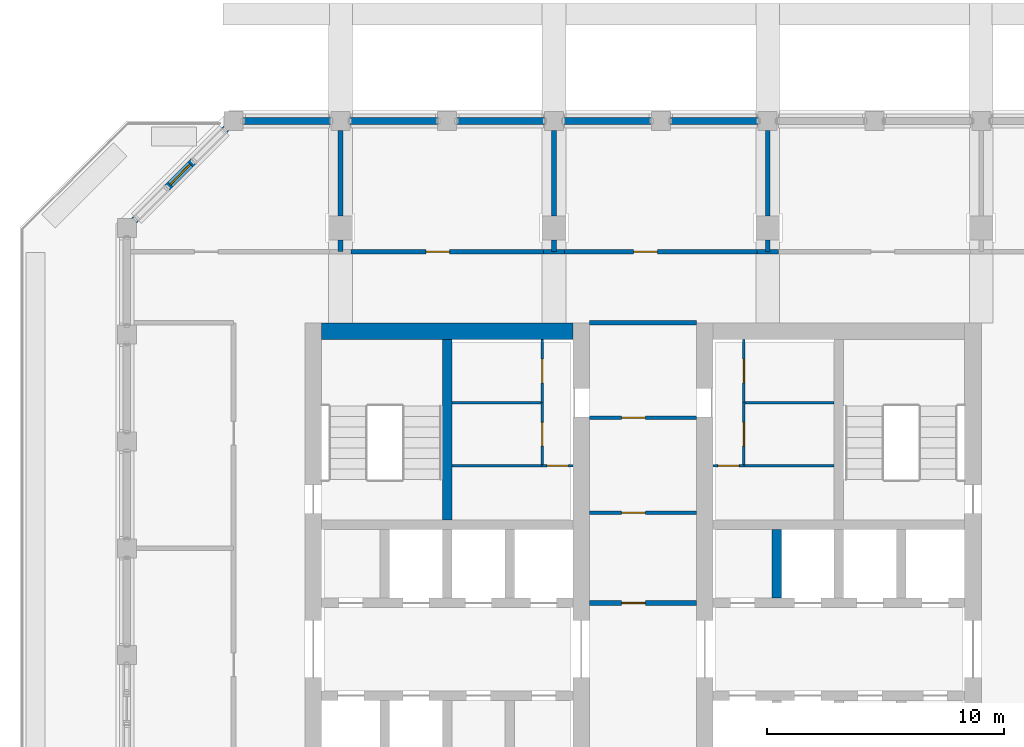
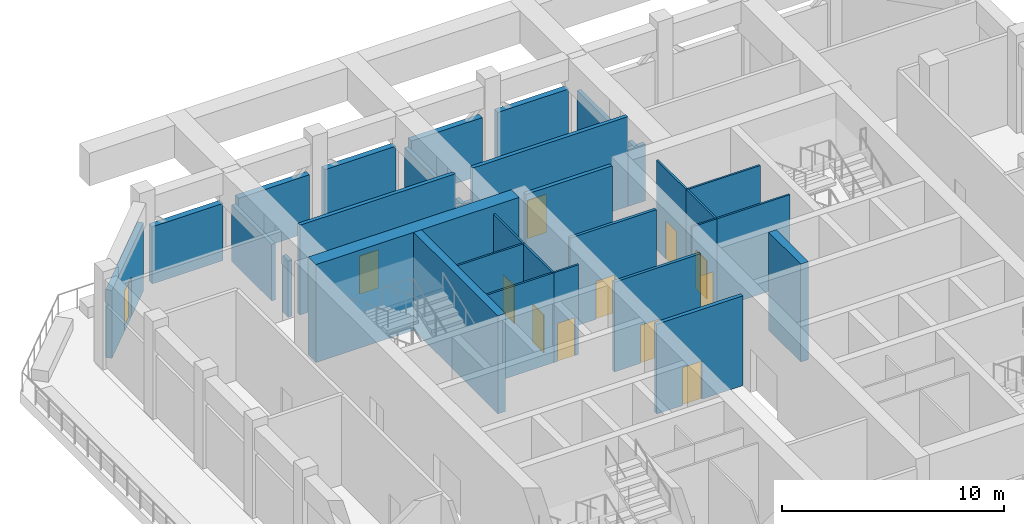
# One storey, part 6 of 19: 33 walls, 12 doors, 12 openings.
"""IFC4 building model written with IfcOpenShell, lengths in metres."""

from ifc_helpers import new_model, si_unit, direction, frame, frame_2d, origin, place, context, subcontext, project, spatial, rectangle, extrude, material, layer, layer_set, type_object, element, fill, save


model = new_model("IFC4")

# Units and contexts
model_context = context("Model", 3, precision=1e-05, world=origin(), true_north=direction((0.0, 1.0)))
body_context = subcontext(model_context, "Body", "Model", "MODEL_VIEW")
ifc_project = project(units=[si_unit("LENGTHUNIT", "METRE"), si_unit("AREAUNIT", "SQUARE_METRE"), si_unit("VOLUMEUNIT", "CUBIC_METRE"), si_unit("PLANEANGLEUNIT", "RADIAN"), si_unit("MASSUNIT", "GRAM", prefix="KILO")], contexts=[model_context])

# Site, building, storey
site_placement = place(None, origin())
site = spatial("IfcSite", under=ifc_project, at=site_placement, CompositionType="ELEMENT")
building_placement = place(site_placement, origin())
building = spatial("IfcBuilding", under=site, at=building_placement, Name="Corbel Stack Research Tower", CompositionType="ELEMENT")
storey_placement = place(building_placement, frame((0.0, 0.0, 226.199951171875)))
storey = spatial("IfcBuildingStorey", under=building, at=storey_placement, Name="L51", CompositionType="ELEMENT", Elevation=226.199951171875)

# Walls
ifc_material_1 = material(Name="Concrete C60/75", Category="concrete")
ifc_layer_1 = layer(ifc_material_1, 0.39990234375)
ifc_layer_set_1 = layer_set([ifc_layer_1], Name="Concrete C60/75")
wall_type_1 = type_object("IfcWallType", Name="CW-400-60", PredefinedType="SHEAR", material=ifc_layer_set_1)
wall_1_placement = place(storey_placement, frame((-4.5, 10.199951171875, 0.0), z_axis=(0.0, 0.0, 1.0), x_axis=(0.0, 1.0, 0.0)))
element("IfcWall", 1, at=wall_1_placement, inside=storey, type_object=wall_type_1, Name="West core wall, north stair and riser L51", PredefinedType="SHEAR", context=body_context, shape_type="SweptSolid", body=[
    extrude(rectangle(XDim=7.60009765625, YDim=0.39990234375, at=frame_2d((3.800048828125, 0.0))), origin(), (0.0, 0.0, 1.0), 5.400146484375),
])
wall_2_placement = place(storey_placement, frame((9.375, 6.89990234375, 0.0), z_axis=(0.0, 0.0, 1.0), x_axis=(0.0, 1.0, 0.0)))
element("IfcWall", 2, at=wall_2_placement, inside=storey, type_object=wall_type_1, Name="East core wall, north shaft 1 L51", PredefinedType="SHEAR", context=body_context, shape_type="SweptSolid", body=[
    extrude(rectangle(XDim=2.900146484375, YDim=0.39990234375, at=frame_2d((1.4501953125, 0.0))), origin(), (0.0, 0.0, 1.0), 5.400146484375),
])
ifc_material_2 = material(Name="Concrete C60/75", Category="concrete")
ifc_layer_2 = layer(ifc_material_2, 0.699951171875)
ifc_layer_set_2 = layer_set([ifc_layer_2], Name="Concrete C60/75")
wall_type_2 = type_object("IfcWallType", Name="CW-700-60", PredefinedType="SHEAR", material=ifc_layer_set_2)
wall_3_placement = place(storey_placement, frame((-9.800048828125, 18.14990234375, 0.0), z_axis=(0.0, 0.0, 1.0), x_axis=(1.0, 0.0, 0.0)))
element("IfcWall", 3, at=wall_3_placement, inside=storey, type_object=wall_type_2, Name="West core wall, north end L51", PredefinedType="SHEAR", context=body_context, shape_type="SweptSolid", body=[
    extrude(rectangle(XDim=10.60009765625, YDim=0.699951171875, at=frame_2d((5.300048828125, 0.0))), origin(), (0.0, 0.0, 1.0), 5.400146484375),
])

# Wall, opening, door
ifc_material_3 = material(Name="Gypsum board")
ifc_layer_3 = layer(ifc_material_3, 0.10009765625)
ifc_layer_set_3 = layer_set([ifc_layer_3], Name="Gypsum board")
wall_type_3 = type_object("IfcWallType", Name="Core partition 100", PredefinedType="PARTITIONING", material=ifc_layer_set_3)
wall_4_placement = place(storey_placement, frame((-0.5, 12.47998046875, 0.0), z_axis=(0.0, 0.0, 1.0), x_axis=(1.0, 0.0, 0.0)))
wall_4 = element("IfcWall", 4, at=wall_4_placement, inside=storey, type_object=wall_type_3, Name="Core partition W", PredefinedType="PARTITIONING", context=body_context, shape_type="SweptSolid", body=[
    extrude(rectangle(XDim=1.300048828125, YDim=0.10009765625, at=frame_2d((0.64990234375, 0.0))), origin(), (0.0, 0.0, 1.0), 4.949951171875),
])
opening_1_placement = place(wall_4_placement, frame((0.199951171875, 0.0, 0.0)))
opening_1 = element("IfcOpeningElement", 5, at=opening_1_placement, cuts=wall_4, Name="Opening CR-W54-R1-900", PredefinedType="OPENING", context=body_context, shape_type="SweptSolid", body=[
    extrude(rectangle(XDim=0.89990234375, YDim=2.10009765625, at=frame_2d((0.449951171875, 1.050048828125))), frame((0.0, 0.06005859375, 0.0), z_axis=(0.0, -1.0, 0.0), x_axis=(1.0, 0.0, 0.0)), (0.0, 0.0, 1.0), 0.1201171875),
])
ifc_material_4 = material(Name="Painted steel door", Category="steel")
door_type_1 = type_object("IfcDoorType", Name="Riser door 900 x 2100 FD60 left hand", OperationType="SINGLE_SWING_LEFT", PredefinedType="DOOR", material=ifc_material_4)
door_1_placement = place(opening_1_placement, origin())
door_1 = element("IfcDoor", 6, at=door_1_placement, inside=storey, type_object=door_type_1, Name="Electrical plant riser door W core", OperationType="SINGLE_SWING_LEFT", OverallHeight=2.10009765625, OverallWidth=0.89990234375, PredefinedType="DOOR", context=body_context, shape_type="SweptSolid", body=[
    extrude(rectangle(XDim=0.89990234375, YDim=2.10009765625, at=frame_2d((0.449951171875, 1.050048828125))), frame((0.0, 0.02490234375, 0.0), z_axis=(0.0, -1.0, 0.0), x_axis=(1.0, 0.0, 0.0)), (0.0, 0.0, 1.0), 0.050048828125),
])
fill(opening_1, door_1)

# Wall
wall_5_placement = place(storey_placement, frame((-4.300048828125, 12.47998046875, 0.0), z_axis=(0.0, 0.0, 1.0), x_axis=(1.0, 0.0, 0.0)))
element("IfcWall", 7, at=wall_5_placement, inside=storey, type_object=wall_type_3, Name="Core partition W", PredefinedType="PARTITIONING", context=body_context, shape_type="SweptSolid", body=[
    extrude(rectangle(XDim=3.800048828125, YDim=0.10009765625, at=frame_2d((1.89990234375, 0.0))), origin(), (0.0, 0.0, 1.0), 4.949951171875),
])

# Wall, opening, door
wall_6_placement = place(storey_placement, frame((-0.5, 12.47998046875, 0.0), z_axis=(0.0, 0.0, 1.0), x_axis=(0.0, 1.0, 0.0)))
wall_6 = element("IfcWall", 8, at=wall_6_placement, inside=storey, type_object=wall_type_3, Name="Core partition W", PredefinedType="PARTITIONING", context=body_context, shape_type="SweptSolid", body=[
    extrude(rectangle(XDim=2.659912109375, YDim=0.10009765625, at=frame_2d((1.330078125, 0.0))), origin(), (0.0, 0.0, 1.0), 4.949951171875),
])
opening_2_placement = place(wall_6_placement, frame((0.830078125, 0.0, 0.0)))
opening_2 = element("IfcOpeningElement", 9, at=opening_2_placement, cuts=wall_6, Name="Opening CR-W54-R3-1000", PredefinedType="OPENING", context=body_context, shape_type="SweptSolid", body=[
    extrude(rectangle(XDim=1.0, YDim=2.10009765625, at=frame_2d((0.5, 1.050048828125))), frame((0.0, 0.06005859375, 0.0), z_axis=(0.0, -1.0, 0.0), x_axis=(1.0, 0.0, 0.0)), (0.0, 0.0, 1.0), 0.1201171875),
])
ifc_material_5 = material(Name="Painted steel door", Category="steel")
door_type_2 = type_object("IfcDoorType", Name="Service door 1000 x 2100 FD30 left hand", OperationType="SINGLE_SWING_LEFT", PredefinedType="DOOR", material=ifc_material_5)
door_2_placement = place(opening_2_placement, origin())
door_2 = element("IfcDoor", 10, at=door_2_placement, inside=storey, type_object=door_type_2, Name="Pantry door W core", OperationType="SINGLE_SWING_LEFT", OverallHeight=2.10009765625, OverallWidth=1.0, PredefinedType="DOOR", context=body_context, shape_type="SweptSolid", body=[
    extrude(rectangle(XDim=1.0, YDim=2.10009765625, at=frame_2d((0.5, 1.050048828125))), frame((0.0, 0.02490234375, 0.0), z_axis=(0.0, -1.0, 0.0), x_axis=(1.0, 0.0, 0.0)), (0.0, 0.0, 1.0), 0.050048828125),
])
fill(opening_2, door_2)

wall_7_placement = place(storey_placement, frame((-0.5, 15.139892578125, 0.0), z_axis=(0.0, 0.0, 1.0), x_axis=(0.0, 1.0, 0.0)))
wall_7 = element("IfcWall", 11, at=wall_7_placement, inside=storey, type_object=wall_type_3, Name="Core partition W", PredefinedType="PARTITIONING", context=body_context, shape_type="SweptSolid", body=[
    extrude(rectangle(XDim=2.66015625, YDim=0.10009765625, at=frame_2d((1.330078125, 0.0))), origin(), (0.0, 0.0, 1.0), 4.949951171875),
])
opening_3_placement = place(wall_7_placement, frame((0.830078125, 0.0, 0.0)))
opening_3 = element("IfcOpeningElement", 12, at=opening_3_placement, cuts=wall_7, Name="Opening CR-W54-R4-1000", PredefinedType="OPENING", context=body_context, shape_type="SweptSolid", body=[
    extrude(rectangle(XDim=1.0, YDim=2.10009765625, at=frame_2d((0.5, 1.050048828125))), frame((0.0, 0.06005859375, 0.0), z_axis=(0.0, -1.0, 0.0), x_axis=(1.0, 0.0, 0.0)), (0.0, 0.0, 1.0), 0.1201171875),
])
ifc_material_6 = material(Name="Painted steel door", Category="steel")
door_type_3 = type_object("IfcDoorType", Name="Service door 1000 x 2100 FD30 right hand", OperationType="SINGLE_SWING_RIGHT", PredefinedType="DOOR", material=ifc_material_6)
door_3_placement = place(opening_3_placement, origin())
door_3 = element("IfcDoor", 13, at=door_3_placement, inside=storey, type_object=door_type_3, Name="Copy and supply store door W core", OperationType="SINGLE_SWING_RIGHT", OverallHeight=2.10009765625, OverallWidth=1.0, PredefinedType="DOOR", context=body_context, shape_type="SweptSolid", body=[
    extrude(rectangle(XDim=1.0, YDim=2.10009765625, at=frame_2d((0.5, 1.050048828125))), frame((0.0, 0.02490234375, 0.0), z_axis=(0.0, -1.0, 0.0), x_axis=(1.0, 0.0, 0.0)), (0.0, 0.0, 1.0), 0.050048828125),
])
fill(opening_3, door_3)

# Wall
wall_8_placement = place(storey_placement, frame((-4.300048828125, 15.139892578125, 0.0), z_axis=(0.0, 0.0, 1.0), x_axis=(1.0, 0.0, 0.0)))
element("IfcWall", 14, at=wall_8_placement, inside=storey, type_object=wall_type_3, Name="Core partition W", PredefinedType="PARTITIONING", context=body_context, shape_type="SweptSolid", body=[
    extrude(rectangle(XDim=3.800048828125, YDim=0.10009765625, at=frame_2d((1.89990234375, 0.0))), origin(), (0.0, 0.0, 1.0), 4.949951171875),
])

# Wall, opening, door
wall_9_placement = place(storey_placement, frame((6.699951171875, 12.47998046875, 0.0), z_axis=(0.0, 0.0, 1.0), x_axis=(1.0, 0.0, 0.0)))
wall_9 = element("IfcWall", 15, at=wall_9_placement, inside=storey, type_object=wall_type_3, Name="Core partition E", PredefinedType="PARTITIONING", context=body_context, shape_type="SweptSolid", body=[
    extrude(rectangle(XDim=1.300048828125, YDim=0.10009765625, at=frame_2d((0.64990234375, 0.0))), origin(), (0.0, 0.0, 1.0), 4.949951171875),
])
opening_4_placement = place(wall_9_placement, frame((0.199951171875, 0.0, 0.0)))
opening_4 = element("IfcOpeningElement", 16, at=opening_4_placement, cuts=wall_9, Name="Opening CR-E54-R1-900", PredefinedType="OPENING", context=body_context, shape_type="SweptSolid", body=[
    extrude(rectangle(XDim=0.89990234375, YDim=2.10009765625, at=frame_2d((0.449951171875, 1.050048828125))), frame((0.0, 0.06005859375, 0.0), z_axis=(0.0, -1.0, 0.0), x_axis=(1.0, 0.0, 0.0)), (0.0, 0.0, 1.0), 0.1201171875),
])
ifc_material_7 = material(Name="Painted steel door", Category="steel")
door_type_4 = type_object("IfcDoorType", Name="Riser door 900 x 2100 FD60 right hand", OperationType="SINGLE_SWING_RIGHT", PredefinedType="DOOR", material=ifc_material_7)
door_4_placement = place(opening_4_placement, origin())
door_4 = element("IfcDoor", 17, at=door_4_placement, inside=storey, type_object=door_type_4, Name="Electrical plant riser door E core", OperationType="SINGLE_SWING_RIGHT", OverallHeight=2.10009765625, OverallWidth=0.89990234375, PredefinedType="DOOR", context=body_context, shape_type="SweptSolid", body=[
    extrude(rectangle(XDim=0.89990234375, YDim=2.10009765625, at=frame_2d((0.449951171875, 1.050048828125))), frame((0.0, 0.02490234375, 0.0), z_axis=(0.0, -1.0, 0.0), x_axis=(1.0, 0.0, 0.0)), (0.0, 0.0, 1.0), 0.050048828125),
])
fill(opening_4, door_4)

# Wall
wall_10_placement = place(storey_placement, frame((8.0, 12.47998046875, 0.0), z_axis=(0.0, 0.0, 1.0), x_axis=(1.0, 0.0, 0.0)))
element("IfcWall", 18, at=wall_10_placement, inside=storey, type_object=wall_type_3, Name="Core partition E", PredefinedType="PARTITIONING", context=body_context, shape_type="SweptSolid", body=[
    extrude(rectangle(XDim=3.800048828125, YDim=0.10009765625, at=frame_2d((1.89990234375, 0.0))), origin(), (0.0, 0.0, 1.0), 4.949951171875),
])

# Wall, opening, door
wall_11_placement = place(storey_placement, frame((8.0, 12.47998046875, 0.0), z_axis=(0.0, 0.0, 1.0), x_axis=(0.0, 1.0, 0.0)))
wall_11 = element("IfcWall", 19, at=wall_11_placement, inside=storey, type_object=wall_type_3, Name="Core partition E", PredefinedType="PARTITIONING", context=body_context, shape_type="SweptSolid", body=[
    extrude(rectangle(XDim=2.659912109375, YDim=0.10009765625, at=frame_2d((1.330078125, 0.0))), origin(), (0.0, 0.0, 1.0), 4.949951171875),
])
opening_5_placement = place(wall_11_placement, frame((0.830078125, 0.0, 0.0)))
opening_5 = element("IfcOpeningElement", 20, at=opening_5_placement, cuts=wall_11, Name="Opening CR-E54-R3-1000", PredefinedType="OPENING", context=body_context, shape_type="SweptSolid", body=[
    extrude(rectangle(XDim=1.0, YDim=2.10009765625, at=frame_2d((0.5, 1.050048828125))), frame((0.0, 0.06005859375, 0.0), z_axis=(0.0, -1.0, 0.0), x_axis=(1.0, 0.0, 0.0)), (0.0, 0.0, 1.0), 0.1201171875),
])
door_5_placement = place(opening_5_placement, origin())
door_5 = element("IfcDoor", 21, at=door_5_placement, inside=storey, type_object=door_type_3, Name="Pantry door E core", OperationType="SINGLE_SWING_RIGHT", OverallHeight=2.10009765625, OverallWidth=1.0, PredefinedType="DOOR", context=body_context, shape_type="SweptSolid", body=[
    extrude(rectangle(XDim=1.0, YDim=2.10009765625, at=frame_2d((0.5, 1.050048828125))), frame((0.0, 0.02490234375, 0.0), z_axis=(0.0, -1.0, 0.0), x_axis=(1.0, 0.0, 0.0)), (0.0, 0.0, 1.0), 0.050048828125),
])
fill(opening_5, door_5)

wall_12_placement = place(storey_placement, frame((8.0, 15.139892578125, 0.0), z_axis=(0.0, 0.0, 1.0), x_axis=(0.0, 1.0, 0.0)))
wall_12 = element("IfcWall", 22, at=wall_12_placement, inside=storey, type_object=wall_type_3, Name="Core partition E", PredefinedType="PARTITIONING", context=body_context, shape_type="SweptSolid", body=[
    extrude(rectangle(XDim=2.66015625, YDim=0.10009765625, at=frame_2d((1.330078125, 0.0))), origin(), (0.0, 0.0, 1.0), 4.949951171875),
])
opening_6_placement = place(wall_12_placement, frame((0.830078125, 0.0, 0.0)))
opening_6 = element("IfcOpeningElement", 23, at=opening_6_placement, cuts=wall_12, Name="Opening CR-E54-R4-1000", PredefinedType="OPENING", context=body_context, shape_type="SweptSolid", body=[
    extrude(rectangle(XDim=1.0, YDim=2.10009765625, at=frame_2d((0.5, 1.050048828125))), frame((0.0, 0.06005859375, 0.0), z_axis=(0.0, -1.0, 0.0), x_axis=(1.0, 0.0, 0.0)), (0.0, 0.0, 1.0), 0.1201171875),
])
door_6_placement = place(opening_6_placement, origin())
door_6 = element("IfcDoor", 24, at=door_6_placement, inside=storey, type_object=door_type_2, Name="Copy and supply store door E core", OperationType="SINGLE_SWING_LEFT", OverallHeight=2.10009765625, OverallWidth=1.0, PredefinedType="DOOR", context=body_context, shape_type="SweptSolid", body=[
    extrude(rectangle(XDim=1.0, YDim=2.10009765625, at=frame_2d((0.5, 1.050048828125))), frame((0.0, 0.02490234375, 0.0), z_axis=(0.0, -1.0, 0.0), x_axis=(1.0, 0.0, 0.0)), (0.0, 0.0, 1.0), 0.050048828125),
])
fill(opening_6, door_6)

# Walls
wall_13_placement = place(storey_placement, frame((8.0, 15.139892578125, 0.0), z_axis=(0.0, 0.0, 1.0), x_axis=(1.0, 0.0, 0.0)))
element("IfcWall", 25, at=wall_13_placement, inside=storey, type_object=wall_type_3, Name="Core partition E", PredefinedType="PARTITIONING", context=body_context, shape_type="SweptSolid", body=[
    extrude(rectangle(XDim=3.800048828125, YDim=0.10009765625, at=frame_2d((1.89990234375, 0.0))), origin(), (0.0, 0.0, 1.0), 4.949951171875),
])
ifc_material_8 = material(Name="Fire-rated gypsum board partition on steel studs", Category="steel")
ifc_layer_4 = layer(ifc_material_8, 0.199951171875)
ifc_layer_set_4 = layer_set([ifc_layer_4], Name="Fire-rated gypsum board partition on steel studs")
wall_type_4 = type_object("IfcWallType", Name="Fire-rated partition 200 EI 60", PredefinedType="PARTITIONING", material=ifc_layer_set_4)
wall_14_placement = place(storey_placement, frame((-9.0, 21.5, 0.0), z_axis=(0.0, 0.0, 1.0), x_axis=(0.0, 1.0, 0.0)))
element("IfcWall", 26, at=wall_14_placement, inside=storey, type_object=wall_type_4, Name="Partition L51-002", PredefinedType="PARTITIONING", context=body_context, shape_type="SweptSolid", body=[
    extrude(rectangle(XDim=0.5, YDim=0.199951171875, at=frame_2d((0.25, 0.0))), origin(), (0.0, 0.0, 1.0), 3.1201171875),
])
wall_15_placement = place(storey_placement, frame((-9.0, 23.0, 0.0), z_axis=(0.0, 0.0, 1.0), x_axis=(0.0, 1.0, 0.0)))
element("IfcWall", 27, at=wall_15_placement, inside=storey, type_object=wall_type_4, Name="Partition L51-003", PredefinedType="PARTITIONING", context=body_context, shape_type="SweptSolid", body=[
    extrude(rectangle(XDim=3.60009765625, YDim=0.199951171875, at=frame_2d((1.800048828125, 0.0))), origin(), (0.0, 0.0, 1.0), 3.1201171875),
])
wall_16_placement = place(storey_placement, frame((0.0, 21.5, 0.0), z_axis=(0.0, 0.0, 1.0), x_axis=(0.0, 1.0, 0.0)))
element("IfcWall", 28, at=wall_16_placement, inside=storey, type_object=wall_type_4, Name="Partition L51-005", PredefinedType="PARTITIONING", context=body_context, shape_type="SweptSolid", body=[
    extrude(rectangle(XDim=0.5, YDim=0.199951171875, at=frame_2d((0.25, 0.0))), origin(), (0.0, 0.0, 1.0), 3.1201171875),
])
wall_17_placement = place(storey_placement, frame((0.0, 23.0, 0.0), z_axis=(0.0, 0.0, 1.0), x_axis=(0.0, 1.0, 0.0)))
element("IfcWall", 29, at=wall_17_placement, inside=storey, type_object=wall_type_4, Name="Partition L51-006", PredefinedType="PARTITIONING", context=body_context, shape_type="SweptSolid", body=[
    extrude(rectangle(XDim=3.60009765625, YDim=0.199951171875, at=frame_2d((1.800048828125, 0.0))), origin(), (0.0, 0.0, 1.0), 3.1201171875),
])
wall_18_placement = place(storey_placement, frame((9.0, 21.5, 0.0), z_axis=(0.0, 0.0, 1.0), x_axis=(0.0, 1.0, 0.0)))
element("IfcWall", 30, at=wall_18_placement, inside=storey, type_object=wall_type_4, Name="Partition L51-008", PredefinedType="PARTITIONING", context=body_context, shape_type="SweptSolid", body=[
    extrude(rectangle(XDim=0.5, YDim=0.199951171875, at=frame_2d((0.25, 0.0))), origin(), (0.0, 0.0, 1.0), 3.1201171875),
])
wall_19_placement = place(storey_placement, frame((9.0, 23.0, 0.0), z_axis=(0.0, 0.0, 1.0), x_axis=(0.0, 1.0, 0.0)))
element("IfcWall", 31, at=wall_19_placement, inside=storey, type_object=wall_type_4, Name="Partition L51-009", PredefinedType="PARTITIONING", context=body_context, shape_type="SweptSolid", body=[
    extrude(rectangle(XDim=3.60009765625, YDim=0.199951171875, at=frame_2d((1.800048828125, 0.0))), origin(), (0.0, 0.0, 1.0), 3.1201171875),
])

# Wall, opening, door
wall_20_placement = place(storey_placement, frame((1.5, 6.699951171875, 0.0), z_axis=(0.0, 0.0, 1.0), x_axis=(1.0, 0.0, 0.0)))
wall_20 = element("IfcWall", 32, at=wall_20_placement, inside=storey, type_object=wall_type_4, Name="Partition L51-024", PredefinedType="PARTITIONING", context=body_context, shape_type="SweptSolid", body=[
    extrude(rectangle(XDim=4.5, YDim=0.199951171875, at=frame_2d((2.25, 0.0))), origin(), (0.0, 0.0, 1.0), 4.949951171875),
])
opening_7_placement = place(wall_20_placement, frame((1.35009765625, 0.0, 0.0)))
opening_7 = element("IfcOpeningElement", 33, at=opening_7_placement, cuts=wall_20, Name="Opening PLANTL51-010", PredefinedType="OPENING", context=body_context, shape_type="SweptSolid", body=[
    extrude(rectangle(XDim=1.0, YDim=2.10009765625, at=frame_2d((0.5, 1.050048828125))), frame((0.0, 0.10986328125, 0.0), z_axis=(0.0, -1.0, 0.0), x_axis=(1.0, 0.0, 0.0)), (0.0, 0.0, 1.0), 0.219970703125),
])
ifc_material_9 = material(Name="Painted steel fire door", Category="steel")
door_type_5 = type_object("IfcDoorType", Name="Fire door FD30S 1000 x 2100", OperationType="NOTDEFINED", PredefinedType="DOOR", material=ifc_material_9)
door_7_placement = place(opening_7_placement, origin())
door_7 = element("IfcDoor", 34, at=door_7_placement, inside=storey, type_object=door_type_5, Name="Door PLANTL51-010", OperationType="SINGLE_SWING_LEFT", OverallHeight=2.10009765625, OverallWidth=1.0, PredefinedType="DOOR", context=body_context, shape_type="SweptSolid", body=[
    extrude(rectangle(XDim=1.0, YDim=2.10009765625, at=frame_2d((0.5, 1.050048828125))), frame((0.0, 0.02490234375, 0.0), z_axis=(0.0, -1.0, 0.0), x_axis=(1.0, 0.0, 0.0)), (0.0, 0.0, 1.0), 0.050048828125),
])
fill(opening_7, door_7)

# Wall
wall_21_placement = place(storey_placement, frame((1.5, 18.5, 0.0), z_axis=(0.0, 0.0, 1.0), x_axis=(1.0, 0.0, 0.0)))
element("IfcWall", 35, at=wall_21_placement, inside=storey, type_object=wall_type_4, Name="Partition L51-031", PredefinedType="PARTITIONING", context=body_context, shape_type="SweptSolid", body=[
    extrude(rectangle(XDim=4.5, YDim=0.199951171875, at=frame_2d((2.25, 0.0))), origin(), (0.0, 0.0, 1.0), 4.949951171875),
])

# Wall, opening, door
wall_22_placement = place(storey_placement, frame((-8.550048828125, 21.5, 0.0), z_axis=(0.0, 0.0, 1.0), x_axis=(1.0, 0.0, 0.0)))
wall_22 = element("IfcWall", 36, at=wall_22_placement, inside=storey, type_object=wall_type_4, Name="Partition L51-036", PredefinedType="PARTITIONING", context=body_context, shape_type="SweptSolid", body=[
    extrude(rectangle(XDim=8.10009765625, YDim=0.199951171875, at=frame_2d((4.050048828125, 0.0))), origin(), (0.0, 0.0, 1.0), 4.949951171875),
])
opening_8_placement = place(wall_22_placement, frame((3.14990234375, 0.0, 0.0)))
opening_8 = element("IfcOpeningElement", 37, at=opening_8_placement, cuts=wall_22, Name="Opening PLANTL51-017", PredefinedType="OPENING", context=body_context, shape_type="SweptSolid", body=[
    extrude(rectangle(XDim=1.0, YDim=2.10009765625, at=frame_2d((0.5, 1.050048828125))), frame((0.0, 0.10986328125, 0.0), z_axis=(0.0, -1.0, 0.0), x_axis=(1.0, 0.0, 0.0)), (0.0, 0.0, 1.0), 0.219970703125),
])
door_8_placement = place(opening_8_placement, origin())
door_8 = element("IfcDoor", 38, at=door_8_placement, inside=storey, type_object=door_type_5, Name="Door PLANTL51-017", OperationType="SINGLE_SWING_LEFT", OverallHeight=2.10009765625, OverallWidth=1.0, PredefinedType="DOOR", context=body_context, shape_type="SweptSolid", body=[
    extrude(rectangle(XDim=1.0, YDim=2.10009765625, at=frame_2d((0.5, 1.050048828125))), frame((0.0, 0.02490234375, 0.0), z_axis=(0.0, -1.0, 0.0), x_axis=(1.0, 0.0, 0.0)), (0.0, 0.0, 1.0), 0.050048828125),
])
fill(opening_8, door_8)

# Wall
wall_23_placement = place(storey_placement, frame((-0.449951171875, 21.5, 0.0), z_axis=(0.0, 0.0, 1.0), x_axis=(1.0, 0.0, 0.0)))
element("IfcWall", 39, at=wall_23_placement, inside=storey, type_object=wall_type_4, Name="Partition L51-037", PredefinedType="PARTITIONING", context=body_context, shape_type="SweptSolid", body=[
    extrude(rectangle(XDim=0.89990234375, YDim=0.199951171875, at=frame_2d((0.449951171875, 0.0))), origin(), (0.0, 0.0, 1.0), 3.1201171875),
])

# Wall, opening, door
wall_24_placement = place(storey_placement, frame((0.449951171875, 21.5, 0.0), z_axis=(0.0, 0.0, 1.0), x_axis=(1.0, 0.0, 0.0)))
wall_24 = element("IfcWall", 40, at=wall_24_placement, inside=storey, type_object=wall_type_4, Name="Partition L51-038", PredefinedType="PARTITIONING", context=body_context, shape_type="SweptSolid", body=[
    extrude(rectangle(XDim=8.10009765625, YDim=0.199951171875, at=frame_2d((4.050048828125, 0.0))), origin(), (0.0, 0.0, 1.0), 4.949951171875),
])
opening_9_placement = place(wall_24_placement, frame((2.89990234375, 0.0, 0.0)))
opening_9 = element("IfcOpeningElement", 41, at=opening_9_placement, cuts=wall_24, Name="Opening PLANTL51-018", PredefinedType="OPENING", context=body_context, shape_type="SweptSolid", body=[
    extrude(rectangle(XDim=1.0, YDim=2.10009765625, at=frame_2d((0.5, 1.050048828125))), frame((0.0, 0.10986328125, 0.0), z_axis=(0.0, -1.0, 0.0), x_axis=(1.0, 0.0, 0.0)), (0.0, 0.0, 1.0), 0.219970703125),
])
door_9_placement = place(opening_9_placement, origin())
door_9 = element("IfcDoor", 42, at=door_9_placement, inside=storey, type_object=door_type_5, Name="Door PLANTL51-018", OperationType="SINGLE_SWING_LEFT", OverallHeight=2.10009765625, OverallWidth=1.0, PredefinedType="DOOR", context=body_context, shape_type="SweptSolid", body=[
    extrude(rectangle(XDim=1.0, YDim=2.10009765625, at=frame_2d((0.5, 1.050048828125))), frame((0.0, 0.02490234375, 0.0), z_axis=(0.0, -1.0, 0.0), x_axis=(1.0, 0.0, 0.0)), (0.0, 0.0, 1.0), 0.050048828125),
])
fill(opening_9, door_9)

# Wall
wall_25_placement = place(storey_placement, frame((8.550048828125, 21.5, 0.0), z_axis=(0.0, 0.0, 1.0), x_axis=(1.0, 0.0, 0.0)))
element("IfcWall", 43, at=wall_25_placement, inside=storey, type_object=wall_type_4, Name="Partition L51-039", PredefinedType="PARTITIONING", context=body_context, shape_type="SweptSolid", body=[
    extrude(rectangle(XDim=0.89990234375, YDim=0.199951171875, at=frame_2d((0.449951171875, 0.0))), origin(), (0.0, 0.0, 1.0), 3.1201171875),
])

# Wall, opening, door
ifc_material_10 = material(Name="Gypsum board partition on steel studs", Category="steel")
ifc_layer_5 = layer(ifc_material_10, 0.14990234375)
ifc_layer_set_5 = layer_set([ifc_layer_5], Name="Gypsum board partition on steel studs")
wall_type_5 = type_object("IfcWallType", Name="Partition 150", PredefinedType="PARTITIONING", material=ifc_layer_set_5)
wall_26_placement = place(storey_placement, frame((1.5, 10.5, 0.0), z_axis=(0.0, 0.0, 1.0), x_axis=(1.0, 0.0, 0.0)))
wall_26 = element("IfcWall", 44, at=wall_26_placement, inside=storey, type_object=wall_type_5, Name="Partition L51-028", PredefinedType="PARTITIONING", context=body_context, shape_type="SweptSolid", body=[
    extrude(rectangle(XDim=4.5, YDim=0.14990234375, at=frame_2d((2.25, 0.0))), origin(), (0.0, 0.0, 1.0), 4.949951171875),
])
opening_10_placement = place(wall_26_placement, frame((1.35009765625, 0.0, 0.0)))
opening_10 = element("IfcOpeningElement", 45, at=opening_10_placement, cuts=wall_26, Name="Opening PLANTL51-011", PredefinedType="OPENING", context=body_context, shape_type="SweptSolid", body=[
    extrude(rectangle(XDim=1.0, YDim=2.10009765625, at=frame_2d((0.5, 1.050048828125))), frame((0.0, 0.0849609375, 0.0), z_axis=(0.0, -1.0, 0.0), x_axis=(1.0, 0.0, 0.0)), (0.0, 0.0, 1.0), 0.169921875),
])
ifc_material_11 = material(Name="Painted timber door", Category="wood")
door_type_6 = type_object("IfcDoorType", Name="Single door 1000 x 2100", OperationType="NOTDEFINED", PredefinedType="DOOR", material=ifc_material_11)
door_10_placement = place(opening_10_placement, origin())
door_10 = element("IfcDoor", 46, at=door_10_placement, inside=storey, type_object=door_type_6, Name="Door PLANTL51-011", OperationType="SINGLE_SWING_LEFT", OverallHeight=2.10009765625, OverallWidth=1.0, PredefinedType="DOOR", context=body_context, shape_type="SweptSolid", body=[
    extrude(rectangle(XDim=1.0, YDim=2.10009765625, at=frame_2d((0.5, 1.050048828125))), frame((0.0, 0.02490234375, 0.0), z_axis=(0.0, -1.0, 0.0), x_axis=(1.0, 0.0, 0.0)), (0.0, 0.0, 1.0), 0.050048828125),
])
fill(opening_10, door_10)

wall_27_placement = place(storey_placement, frame((1.5, 14.5, 0.0), z_axis=(0.0, 0.0, 1.0), x_axis=(1.0, 0.0, 0.0)))
wall_27 = element("IfcWall", 47, at=wall_27_placement, inside=storey, type_object=wall_type_5, Name="Partition L51-029", PredefinedType="PARTITIONING", context=body_context, shape_type="SweptSolid", body=[
    extrude(rectangle(XDim=4.5, YDim=0.14990234375, at=frame_2d((2.25, 0.0))), origin(), (0.0, 0.0, 1.0), 4.949951171875),
])
opening_11_placement = place(wall_27_placement, frame((1.35009765625, 0.0, 0.0)))
opening_11 = element("IfcOpeningElement", 48, at=opening_11_placement, cuts=wall_27, Name="Opening PLANTL51-012", PredefinedType="OPENING", context=body_context, shape_type="SweptSolid", body=[
    extrude(rectangle(XDim=1.0, YDim=2.10009765625, at=frame_2d((0.5, 1.050048828125))), frame((0.0, 0.0849609375, 0.0), z_axis=(0.0, -1.0, 0.0), x_axis=(1.0, 0.0, 0.0)), (0.0, 0.0, 1.0), 0.169921875),
])
door_11_placement = place(opening_11_placement, origin())
door_11 = element("IfcDoor", 49, at=door_11_placement, inside=storey, type_object=door_type_6, Name="Door PLANTL51-012", OperationType="SINGLE_SWING_LEFT", OverallHeight=2.10009765625, OverallWidth=1.0, PredefinedType="DOOR", context=body_context, shape_type="SweptSolid", body=[
    extrude(rectangle(XDim=1.0, YDim=2.10009765625, at=frame_2d((0.5, 1.050048828125))), frame((0.0, 0.02490234375, 0.0), z_axis=(0.0, -1.0, 0.0), x_axis=(1.0, 0.0, 0.0)), (0.0, 0.0, 1.0), 0.050048828125),
])
fill(opening_11, door_11)

# Walls
ifc_material_12 = material(Name="Concrete C45/55", Category="concrete")
ifc_layer_6 = layer(ifc_material_12, 0.300048828125)
ifc_layer_set_6 = layer_set([ifc_layer_6], Name="Concrete C45/55")
wall_type_6 = type_object("IfcWallType", Name="Terracotta-faced concrete wall 300", PredefinedType="SOLIDWALL", material=ifc_layer_set_6)
for number, where, z_axis, x_axis, name in (
    (50, (4.89990234375, 27.0, 0.0), (0.0, 0.0, 1.0), (1.0, 0.0, 0.0), "Facade wall L51 N04"),
    (51, (0.39990234375, 27.0, 0.0), (0.0, 0.0, 1.0), (1.0, 0.0, 0.0), "Facade wall L51 N05"),
    (52, (-4.10009765625, 27.0, 0.0), (0.0, 0.0, 1.0), (1.0, 0.0, 0.0), "Facade wall L51 N06"),
    (53, (-8.60009765625, 27.0, 0.0), (0.0, 0.0, 1.0), (1.0, 0.0, 0.0), "Facade wall L51 N07"),
    (54, (-13.10009765625, 27.0, 0.0), (0.0, 0.0, 1.0), (1.0, 0.0, 0.0), "Facade wall L51 N08"),
):
    element("IfcWall", number, at=place(storey_placement, frame(where, z_axis=z_axis, x_axis=x_axis)), inside=storey, type_object=wall_type_6, Name=name, PredefinedType="SOLIDWALL", context=body_context, shape_type="SweptSolid", body=[
        extrude(rectangle(XDim=3.7001953125, YDim=0.300048828125, at=frame_2d((1.85009765625, 0.0))), origin(), (0.0, 0.0, 1.0), 3.150146484375),
    ])

# Wall, opening, door
wall_28_placement = place(storey_placement, frame((-17.7060546875, 22.7939453125, 0.0), z_axis=(0.0, 0.0, 1.0), x_axis=(0.707106781187, 0.707106781187, 0.0)))
wall_28 = element("IfcWall", 55, at=wall_28_placement, inside=storey, type_object=wall_type_6, Name="Facade wall L51 NW01", PredefinedType="SOLIDWALL", context=body_context, shape_type="SweptSolid", body=[
    extrude(rectangle(XDim=5.532470703125, YDim=0.300048828125, at=frame_2d((2.76611328125, 0.0))), origin(), (0.0, 0.0, 1.0), 3.75),
])
opening_12_placement = place(wall_28_placement, frame((2.166259765625, 0.0, 0.0)))
opening_12 = element("IfcOpeningElement", 56, at=opening_12_placement, cuts=wall_28, Name="Opening L51-B05", PredefinedType="OPENING", context=body_context, shape_type="SweptSolid", body=[
    extrude(rectangle(XDim=1.199951171875, YDim=2.199951171875, at=frame_2d((0.60009765625, 1.10009765625))), frame((0.0, 0.159912109375, 0.0), z_axis=(0.0, -1.0, 0.0), x_axis=(1.0, 0.0, 0.0)), (0.0, 0.0, 1.0), 0.320068359375),
])
ifc_material_13 = material(Name="Aluminium frame, clear double glazing", Category="aluminium")
door_type_7 = type_object("IfcDoorType", Name="Balcony door BD2 1200 x 2200", OperationType="NOTDEFINED", PredefinedType="DOOR", material=ifc_material_13)
door_12_placement = place(opening_12_placement, origin())
door_12 = element("IfcDoor", 57, at=door_12_placement, inside=storey, type_object=door_type_7, Name="Balcony door L51-B05", OperationType="SINGLE_SWING_RIGHT", OverallHeight=2.199951171875, OverallWidth=1.199951171875, PredefinedType="DOOR", context=body_context, shape_type="SweptSolid", body=[
    extrude(rectangle(XDim=1.199951171875, YDim=2.199951171875, at=frame_2d((0.60009765625, 1.10009765625))), frame((0.0, 0.02490234375, 0.0), z_axis=(0.0, -1.0, 0.0), x_axis=(1.0, 0.0, 0.0)), (0.0, 0.0, 1.0), 0.050048828125),
])
fill(opening_12, door_12)

save(model, "model.ifc")
